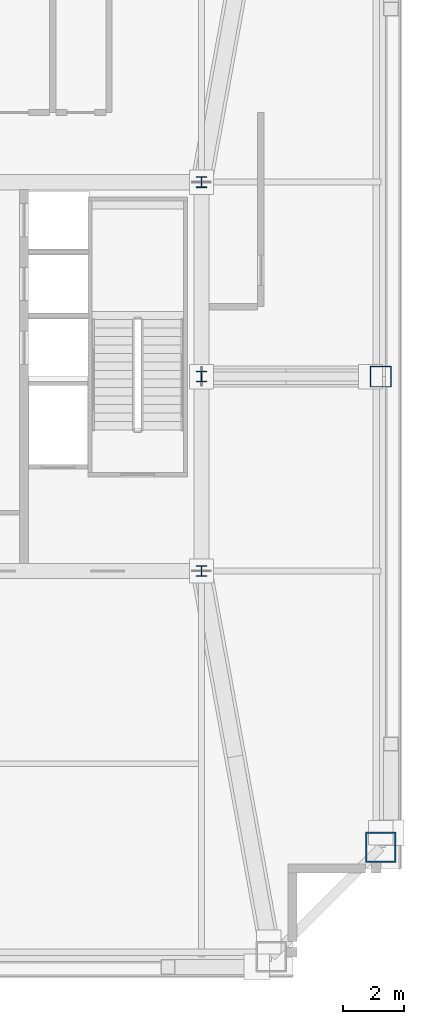
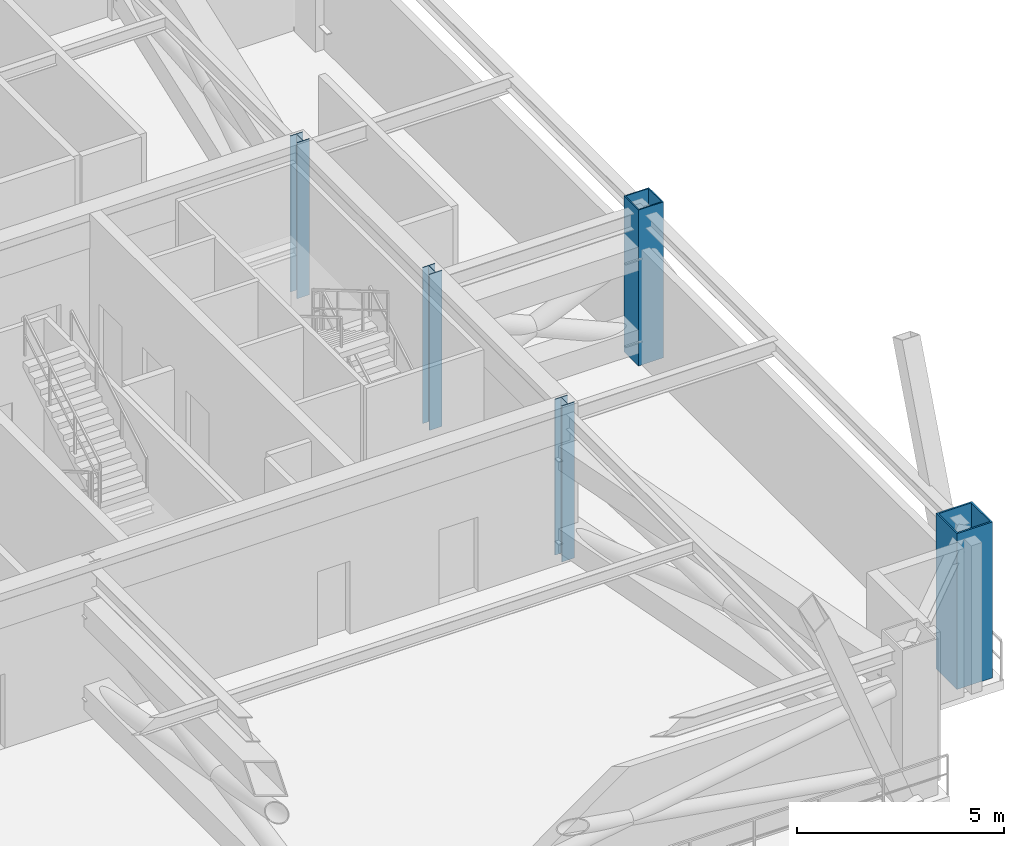
# One storey, part 2 of 9: 5 columns.
"""IFC4 building model written with IfcOpenShell, lengths in metres."""

from ifc_helpers import new_model, si_unit, direction, frame, origin, origin_2d, place, context, subcontext, project, spatial, hollow_rectangle, i_section, extrude, source, transform, mapped, material, material_profile, profile_set, type_object, element, save


model = new_model("IFC4")

# Units and contexts
model_context = context("Model", 3, precision=1e-05, world=origin(), true_north=direction((0.0, 1.0)))
body_context = subcontext(model_context, "Body", "Model", "MODEL_VIEW")
ifc_project = project(units=[si_unit("LENGTHUNIT", "METRE"), si_unit("AREAUNIT", "SQUARE_METRE"), si_unit("VOLUMEUNIT", "CUBIC_METRE"), si_unit("PLANEANGLEUNIT", "RADIAN"), si_unit("MASSUNIT", "GRAM", prefix="KILO"), si_unit("THERMODYNAMICTEMPERATUREUNIT", "KELVIN"), si_unit("POWERUNIT", "WATT")], contexts=[model_context])

# Site, building, storey
site_placement = place(None, origin())
site = spatial("IfcSite", under=ifc_project, at=site_placement, CompositionType="ELEMENT")
building_placement = place(site_placement, origin())
building = spatial("IfcBuilding", under=site, at=building_placement, Name="Yuzanri Waterfront Tower", CompositionType="ELEMENT")
storey_placement = place(building_placement, frame((0.0, 0.0, 306.60009765625)))
storey = spatial("IfcBuildingStorey", under=building, at=storey_placement, Name="L82", CompositionType="ELEMENT", Elevation=306.60009765625)

# Columns
ifc_material_1 = material(Name="Steel Q355B", Category="steel")
ifc_material_profile_1 = material_profile(ifc_material_1, i_section(OverallWidth=0.35009765625, OverallDepth=0.35009765625, WebThickness=0.011962890625, FlangeThickness=0.01904296875, at=origin_2d()), Name="HW 350x350x12x19")
ifc_profile_set_1 = profile_set([ifc_material_profile_1], Name="Steel Q355B")
column_type_1 = type_object("IfcColumnType", Name="Core Post Q355B HW 350x350x12x19", PredefinedType="COLUMN", material=ifc_profile_set_1)
shared_shape_1 = source(origin(), body_context, "Body", "SweptSolid", [
    extrude(i_section(OverallWidth=0.35009765625, OverallDepth=0.35009765625, WebThickness=0.011962890625, FlangeThickness=0.01904296875, at=origin_2d()), origin(), (0.0, 0.0, 1.0), 4.599853515625),
])
for number, where, z_axis, x_axis, name in (
    (1, (50.199951171875, 19.39990234375, 0.0), (0.0, 0.0, 1.0), (1.0, 0.0, 0.0), "L82 Core Boundary Column CP3"),
    (2, (50.199951171875, 25.800048828125, 0.0), (0.0, 0.0, 1.0), (1.0, 0.0, 0.0), "L82 Core Boundary Column CP5"),
    (3, (50.199951171875, 32.199951171875, 0.0), (0.0, 0.0, 1.0), (1.0, 0.0, 0.0), "L82 Core Boundary Column CP8"),
):
    element("IfcColumn", number, at=place(storey_placement, frame(where, z_axis=z_axis, x_axis=x_axis)), inside=storey, type_object=column_type_1, Name=name, PredefinedType="COLUMN", context=body_context, shape_type="MappedRepresentation", body=[
        mapped(shared_shape_1, transform((0.0, 0.0, 0.0), scale=1.0)),
    ])
ifc_material_2 = material(Name="Steel Q390GJC", Category="steel")
ifc_material_profile_2 = material_profile(ifc_material_2, hollow_rectangle(XDim=1.0, YDim=1.0, WallThickness=0.048095703125, at=origin_2d()), Name="RHS 1000x1000x48")
ifc_profile_set_2 = profile_set([ifc_material_profile_2], Name="Steel Q390GJC")
column_type_2 = type_object("IfcColumnType", Name="Mega Column Q390GJC RHS 1000x1000x48", PredefinedType="COLUMN", material=ifc_profile_set_2)
shared_shape_2 = source(origin(), body_context, "Body", "SweptSolid", [
    extrude(hollow_rectangle(XDim=1.0, YDim=1.0, WallThickness=0.048095703125, at=origin_2d()), origin(), (0.0, 0.0, 1.0), 4.599853515625),
])
column_1_placement = place(storey_placement, frame((56.10009765625, 10.300048828125, 0.0), z_axis=(0.0, 0.0, 1.0), x_axis=(1.0, 0.0, 0.0)))
element("IfcColumn", 4, at=column_1_placement, inside=storey, type_object=column_type_2, Name="L82 Perimeter Mega Column E1", PredefinedType="COLUMN", context=body_context, shape_type="MappedRepresentation", body=[
    mapped(shared_shape_2, transform((0.0, 0.0, 0.0), scale=1.0)),
])
ifc_material_3 = material(Name="Steel Q355B", Category="steel")
ifc_material_profile_3 = material_profile(ifc_material_3, hollow_rectangle(XDim=0.699951171875, YDim=0.699951171875, WallThickness=0.031982421875, at=origin_2d()), Name="RHS 700x700x32")
ifc_profile_set_3 = profile_set([ifc_material_profile_3], Name="Steel Q355B")
column_type_3 = type_object("IfcColumnType", Name="Frame Column Q355B RHS 700x700x32", PredefinedType="COLUMN", material=ifc_profile_set_3)
shared_shape_3 = source(origin(), body_context, "Body", "SweptSolid", [
    extrude(hollow_rectangle(XDim=0.699951171875, YDim=0.699951171875, WallThickness=0.031982421875, at=origin_2d()), origin(), (0.0, 0.0, 1.0), 4.599853515625),
])
column_2_placement = place(storey_placement, frame((56.10009765625, 25.800048828125, 0.0), z_axis=(0.0, 0.0, 1.0), x_axis=(1.0, 0.0, 0.0)))
element("IfcColumn", 5, at=column_2_placement, inside=storey, type_object=column_type_3, Name="L82 Perimeter Frame Column E2", PredefinedType="COLUMN", context=body_context, shape_type="MappedRepresentation", body=[
    mapped(shared_shape_3, transform((0.0, 0.0, 0.0), scale=1.0)),
])

save(model, "model.ifc")
